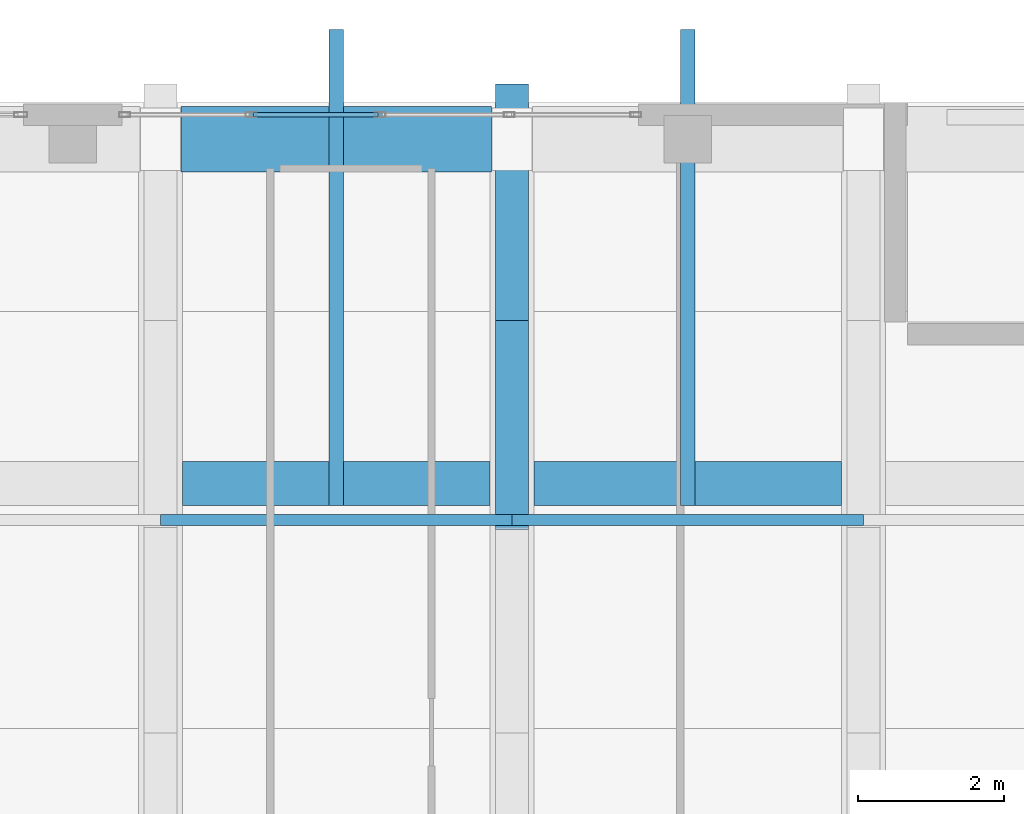
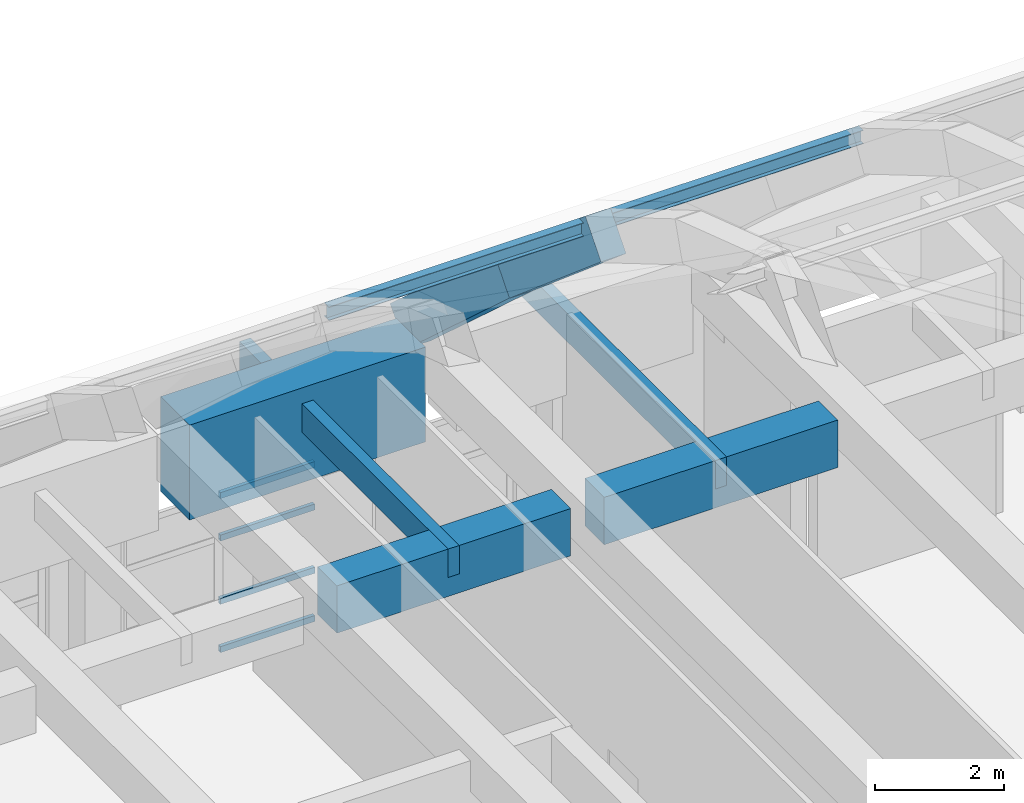
# One storey, part 39 of 78: 8 members, 5 beams, 1 element without a shape of its own.
"""IFC4 building model written with IfcOpenShell, lengths in metres."""

from ifc_helpers import new_model, si_unit, direction, frame, origin, origin_2d, place, context, subcontext, project, spatial, rectangle, hollow_rectangle, i_section, extrude, material, layer, layer_set, material_profile, profile_set, type_object, element, aggregate, save


model = new_model("IFC4")

# Units and contexts
model_context = context("Model", 3, precision=1e-05, world=origin(), true_north=direction((0.0, 1.0)))
body_context = subcontext(model_context, "Body", "Model", "MODEL_VIEW")
ifc_project = project(units=[si_unit("LENGTHUNIT", "METRE"), si_unit("AREAUNIT", "SQUARE_METRE"), si_unit("VOLUMEUNIT", "CUBIC_METRE"), si_unit("PLANEANGLEUNIT", "RADIAN"), si_unit("MASSUNIT", "GRAM", prefix="KILO")], contexts=[model_context])

# Site, building, storey
site_placement = place(None, origin())
site = spatial("IfcSite", under=ifc_project, at=site_placement, CompositionType="ELEMENT")
building_placement = place(site_placement, origin())
building = spatial("IfcBuilding", under=site, at=building_placement, Name="Quendrovan Civic Courthouse", CompositionType="ELEMENT")
storey_placement = place(building_placement, frame((0.0, 0.0, 20.39990234375)))
storey = spatial("IfcBuildingStorey", under=building, at=storey_placement, Name="L05", CompositionType="ELEMENT", Elevation=20.39990234375)

# Beams
ifc_material_1 = material(Name="Concrete C40/50", Category="concrete")
ifc_material_profile_1 = material_profile(ifc_material_1, rectangle(XDim=0.60009765625, YDim=0.89990234375, at=origin_2d()), Name="RC-BM-600x900")
ifc_profile_set_1 = profile_set([ifc_material_profile_1], Name="Concrete C40/50")
beam_type_1 = type_object("IfcBeamType", Name="BM-RC900", PredefinedType="BEAM", material=ifc_profile_set_1)
beam_1_placement = place(storey_placement, frame((119.10009765625, 105.199951171875, 4.35009765625), z_axis=(1.0, 0.0, 0.0), x_axis=(0.0, 1.0, 0.0)))
element("IfcBeam", 1, at=beam_1_placement, inside=storey, type_object=beam_type_1, Name="BV1 Eave Backspan Collector Beam N-B3", PredefinedType="BEAM", context=body_context, shape_type="SweptSolid", body=[
    extrude(rectangle(XDim=0.60009765625, YDim=0.89990234375, at=origin_2d()), origin(), (0.0, 0.0, 1.0), 4.199951171875),
])
beam_2_placement = place(storey_placement, frame((123.89990234375, 105.199951171875, 4.35009765625), z_axis=(1.0, 0.0, 0.0), x_axis=(0.0, 1.0, 0.0)))
element("IfcBeam", 2, at=beam_2_placement, inside=storey, type_object=beam_type_1, Name="BV1 Eave Backspan Collector Beam N-B4", PredefinedType="BEAM", context=body_context, shape_type="SweptSolid", body=[
    extrude(rectangle(XDim=0.60009765625, YDim=0.89990234375, at=origin_2d()), origin(), (0.0, 0.0, 1.0), 4.2001953125),
])
ifc_material_2 = material(Name="Concrete C45/55", Category="concrete")
ifc_material_profile_2 = material_profile(ifc_material_2, rectangle(XDim=0.89990234375, YDim=1.800048828125, at=origin_2d()), Name="RC-TG-900x1800")
ifc_profile_set_2 = profile_set([ifc_material_profile_2], Name="Concrete C45/55")
beam_type_2 = type_object("IfcBeamType", Name="BM-TG1800", PredefinedType="BEAM", material=ifc_profile_set_2)
beam_3_placement = place(storey_placement, frame((119.080078125, 109.89990234375, 4.2001953125), z_axis=(1.0, 0.0, 0.0), x_axis=(0.0, 1.0, 0.0)))
element("IfcBeam", 3, at=beam_3_placement, inside=storey, type_object=beam_type_2, Name="BV1 Springing Collector Girder N-3", PredefinedType="BEAM", context=body_context, shape_type="SweptSolid", body=[
    extrude(rectangle(XDim=0.89990234375, YDim=1.800048828125, at=origin_2d()), origin(), (0.0, 0.0, 1.0), 4.239990234375),
])
ifc_material_profile_3 = material_profile(ifc_material_1, rectangle(XDim=0.449951171875, YDim=0.75, at=origin_2d()), Name="RC-VRIB-450x750")
ifc_profile_set_3 = profile_set([ifc_material_profile_3], Name="Concrete C40/50")
beam_type_3 = type_object("IfcBeamType", Name="BM-VRIB750", PredefinedType="BEAM", material=ifc_profile_set_3)
beam_4_placement = place(storey_placement, frame((123.60009765625, 104.327880859375, 10.23779296875), z_axis=(0.0, 0.762387086329, -0.647121264214), x_axis=(-1.0, 0.0, 0.0)))
element("IfcBeam", 4, at=beam_4_placement, inside=storey, type_object=beam_type_3, Name="BV1 Concrete Vault Arch Rib A4-C7", PredefinedType="BEAM", context=body_context, shape_type="SweptSolid", body=[
    extrude(rectangle(XDim=0.449951171875, YDim=0.75, at=origin_2d()), origin(), (0.0, 0.0, 1.0), 3.73828125),
])
beam_5_placement = place(storey_placement, frame((123.60009765625, 107.123291015625, 7.871826171875), z_axis=(0.0, 0.740733725172, -0.671798740988), x_axis=(-1.0, 0.0, 0.0)))
element("IfcBeam", 5, at=beam_5_placement, inside=storey, type_object=beam_type_3, Name="BV1 Concrete Vault Arch Rib A4-C8", PredefinedType="BEAM", context=body_context, shape_type="SweptSolid", body=[
    extrude(rectangle(XDim=0.449951171875, YDim=0.75, at=origin_2d()), origin(), (0.0, 0.0, 1.0), 4.423583984375),
])

# Curtain wall, members
ifc_material_3 = material(Name="Bronze anodised aluminium and low-E glass", Category="aluminium")
ifc_layer = layer(ifc_material_3, 0.179931640625, Name="Bronze anodised aluminium and low-E glass")
ifc_layer_set = layer_set([ifc_layer], Name="Bronze anodised aluminium and low-E glass")
curtain_wall_type = type_object("IfcCurtainWallType", Name="CW-U70x30", PredefinedType="USERDEFINED", material=ifc_layer_set)
curtain_wall_placement = place(storey_placement, origin())
curtain_wall = element("IfcCurtainWall", 6, at=curtain_wall_placement, inside=storey, type_object=curtain_wall_type, Name="L05 Unitised Hurricane Curtain Wall CW-193", ObjectType="UNITISED CURTAIN WALL", PredefinedType="USERDEFINED")
ifc_material_4 = material(Name="Bronze anodised aluminium", Category="aluminium")
ifc_material_profile_4 = material_profile(ifc_material_4, hollow_rectangle(XDim=0.06494140625, YDim=0.114990234375, WallThickness=0.00390625, at=origin_2d()), Name="CW-TRAN-65x115")
ifc_profile_set_4 = profile_set([ifc_material_profile_4], Name="Bronze anodised aluminium")
member_type_1 = type_object("IfcMemberType", Name="CW-TRAN-B", PredefinedType="USERDEFINED", material=ifc_profile_set_4)
member_1_placement = place(storey_placement, frame((120.070068359375, 110.235107421875, 0.03271484375), z_axis=(1.0, 0.0, 0.0), x_axis=(0.0, 1.0, 0.0)))
member_1 = element("IfcMember", 7, at=member_1_placement, type_object=member_type_1, Name="CW-193 transom 2.1", ObjectType="TRANSOM", PredefinedType="USERDEFINED", context=body_context, shape_type="SweptSolid", body=[
    extrude(hollow_rectangle(XDim=0.06494140625, YDim=0.114990234375, WallThickness=0.00390625, at=origin_2d()), origin(), (0.0, 0.0, 1.0), 1.697509765625),
])
member_2_placement = place(storey_placement, frame((120.070068359375, 110.235107421875, 0.9501953125), z_axis=(1.0, 0.0, 0.0), x_axis=(0.0, 1.0, 0.0)))
member_2 = element("IfcMember", 8, at=member_2_placement, type_object=member_type_1, Name="CW-193 transom 2.2", ObjectType="TRANSOM", PredefinedType="USERDEFINED", context=body_context, shape_type="SweptSolid", body=[
    extrude(hollow_rectangle(XDim=0.06494140625, YDim=0.114990234375, WallThickness=0.00390625, at=origin_2d()), origin(), (0.0, 0.0, 1.0), 1.697509765625),
])
member_3_placement = place(storey_placement, frame((120.070068359375, 110.235107421875, 2.150146484375), z_axis=(1.0, 0.0, 0.0), x_axis=(0.0, 1.0, 0.0)))
member_3 = element("IfcMember", 9, at=member_3_placement, type_object=member_type_1, Name="CW-193 transom 2.3", ObjectType="TRANSOM", PredefinedType="USERDEFINED", context=body_context, shape_type="SweptSolid", body=[
    extrude(hollow_rectangle(XDim=0.06494140625, YDim=0.114990234375, WallThickness=0.00390625, at=origin_2d()), origin(), (0.0, 0.0, 1.0), 1.697509765625),
])
member_4_placement = place(storey_placement, frame((120.070068359375, 110.235107421875, 2.95751953125), z_axis=(1.0, 0.0, 0.0), x_axis=(0.0, 1.0, 0.0)))
member_4 = element("IfcMember", 10, at=member_4_placement, type_object=member_type_1, Name="CW-193 transom 2.4", ObjectType="TRANSOM", PredefinedType="USERDEFINED", context=body_context, shape_type="SweptSolid", body=[
    extrude(hollow_rectangle(XDim=0.06494140625, YDim=0.114990234375, WallThickness=0.00390625, at=origin_2d()), origin(), (0.0, 0.0, 1.0), 1.697509765625),
])
aggregate(curtain_wall, [member_1, member_2, member_3, member_4])

# Members
ifc_material_5 = material(Name="Western Red Cedar Glulam GL28h", Category="wood")
ifc_material_profile_5 = material_profile(ifc_material_5, rectangle(XDim=0.199951171875, YDim=0.5400390625, at=origin_2d()), Name="GL28H-200x540")
ifc_profile_set_5 = profile_set([ifc_material_profile_5], Name="Western Red Cedar Glulam GL28h")
member_type_2 = type_object("IfcMemberType", Name="MEM-PUR-GL540", PredefinedType="PURLIN", material=ifc_profile_set_5)
for number, where, z_axis, x_axis, name in (
    (11, (121.199951171875, 104.89990234375, 4.530029296875), (0.0, 1.0, 0.0), (-1.0, 0.0, 0.0), "BV1 Cedar Glulam North Hurricane Eave Outrigger B3"),
    (12, (126.0, 104.89990234375, 4.530029296875), (0.0, 1.0, 0.0), (-1.0, 0.0, 0.0), "BV1 Cedar Glulam North Hurricane Eave Outrigger B4"),
):
    element("IfcMember", number, at=place(storey_placement, frame(where, z_axis=z_axis, x_axis=x_axis)), inside=storey, type_object=member_type_2, Name=name, PredefinedType="PURLIN", context=body_context, shape_type="SweptSolid", body=[
        extrude(rectangle(XDim=0.199951171875, YDim=0.5400390625, at=origin_2d()), origin(), (0.0, 0.0, 1.0), 6.5),
    ])
ifc_material_6 = material(Name="Steel ASTM A992 Grade 50", Category="steel")
ifc_material_profile_6 = material_profile(ifc_material_6, i_section(OverallWidth=0.14599609375, OverallDepth=0.258056640625, WebThickness=0.006103515625, FlangeThickness=0.009033203125, at=origin_2d()), Name="W250x33")
ifc_profile_set_6 = profile_set([ifc_material_profile_6], Name="Steel ASTM A992 Grade 50")
member_type_3 = type_object("IfcMemberType", Name="MEM-PUR-W250", PredefinedType="PURLIN", material=ifc_profile_set_6)
member_5_placement = place(storey_placement, frame((118.800048828125, 104.699951171875, 10.236083984375), z_axis=(1.0, 0.0, 0.0), x_axis=(0.0, 1.0, 0.0)))
element("IfcMember", 13, at=member_5_placement, inside=storey, type_object=member_type_3, Name="BV1 Vault Longitudinal Purlin B3-3", PredefinedType="PURLIN", context=body_context, shape_type="SweptSolid", body=[
    extrude(i_section(OverallWidth=0.14599609375, OverallDepth=0.258056640625, WebThickness=0.006103515625, FlangeThickness=0.009033203125, at=origin_2d()), origin(), (0.0, 0.0, 1.0), 4.800048828125),
])
member_6_placement = place(storey_placement, frame((123.60009765625, 104.699951171875, 10.236083984375), z_axis=(1.0, 0.0, 0.0), x_axis=(0.0, 1.0, 0.0)))
element("IfcMember", 14, at=member_6_placement, inside=storey, type_object=member_type_3, Name="BV1 Vault Longitudinal Purlin B4-3", PredefinedType="PURLIN", context=body_context, shape_type="SweptSolid", body=[
    extrude(i_section(OverallWidth=0.14599609375, OverallDepth=0.258056640625, WebThickness=0.006103515625, FlangeThickness=0.009033203125, at=origin_2d()), origin(), (0.0, 0.0, 1.0), 4.7998046875),
])

save(model, "model.ifc")
